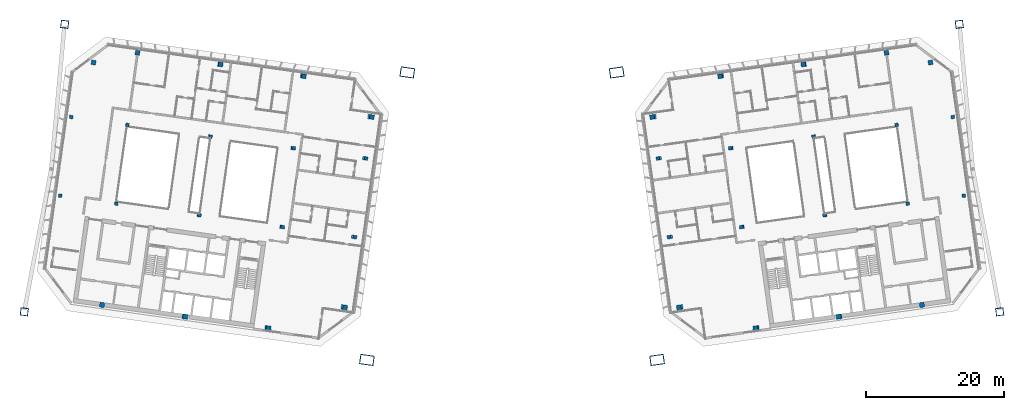
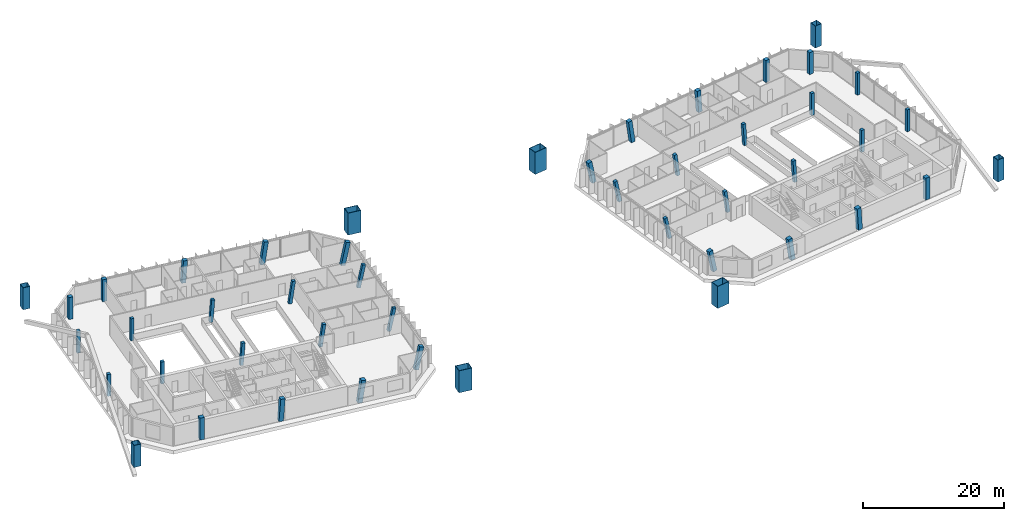
# One storey, part 1 of 19: 46 columns.
"""IFC4 building model written with IfcOpenShell, lengths in metres."""

from ifc_helpers import new_model, si_unit, direction, frame, origin, origin_2d, place, context, subcontext, project, spatial, rectangle, hollow_rectangle, extrude, material, material_profile, profile_set, type_object, element, save


model = new_model("IFC4")

# Units and contexts
model_context = context("Model", 3, precision=1e-05, world=origin(), true_north=direction((0.0, 1.0)))
body_context = subcontext(model_context, "Body", "Model", "MODEL_VIEW")
ifc_project = project(units=[si_unit("LENGTHUNIT", "METRE"), si_unit("AREAUNIT", "SQUARE_METRE"), si_unit("VOLUMEUNIT", "CUBIC_METRE"), si_unit("PLANEANGLEUNIT", "RADIAN"), si_unit("MASSUNIT", "GRAM", prefix="KILO")], contexts=[model_context])

# Site, building, storey
site_placement = place(None, origin())
site = spatial("IfcSite", under=ifc_project, at=site_placement, CompositionType="ELEMENT")
building_placement = place(site_placement, origin())
building = spatial("IfcBuilding", under=site, at=building_placement, Name="Mirante Cascada Hotel Towers", CompositionType="ELEMENT")
storey_placement = place(building_placement, frame((0.0, 0.0, 239.4)))
storey = spatial("IfcBuildingStorey", under=building, at=storey_placement, Name="L57", CompositionType="ELEMENT", Elevation=239.4)

# Columns
ifc_material_1 = material(Name="Steel ASTM A572 Gr 50", Category="steel")
ifc_material_profile_1 = material_profile(ifc_material_1, hollow_rectangle(XDim=1.1, YDim=1.1, WallThickness=0.05, at=origin_2d()), Name="Box column 1100x1100x50 ASTM A572 Gr 50")
ifc_profile_set_1 = profile_set([ifc_material_profile_1], Name="Steel ASTM A572 Gr 50")
column_type_1 = type_object("IfcColumnType", Name="Box column 1100x1100x50 ASTM A572 Gr 50", PredefinedType="COLUMN", material=ifc_profile_set_1)
for number, where, z_axis, x_axis, name in (
    (1, (-64.7076, 24.0842, 0.0), (0.0, 0.0, 1.0), (-0.9902681, 0.1391731, 0.0), "Mega column MC3 T1 L57"),
    (2, (-70.5528, -17.5071, 0.0), (0.0, 0.0, 1.0), (-0.9902681, 0.1391731, 0.0), "Mega column MC4 T1 L57"),
    (3, (64.7076, 24.0842, 0.0), (0.0, 0.0, 1.0), (0.9902681, 0.1391731, 0.0), "Mega column MC3 T2 L57"),
    (4, (70.5528, -17.5071, 0.0), (0.0, 0.0, 1.0), (0.9902681, 0.1391731, 0.0), "Mega column MC4 T2 L57"),
):
    element("IfcColumn", number, at=place(storey_placement, frame(where, z_axis=z_axis, x_axis=x_axis)), inside=storey, type_object=column_type_1, Name=name, PredefinedType="COLUMN", context=body_context, shape_type="SweptSolid", body=[
        extrude(hollow_rectangle(XDim=1.1, YDim=1.1, WallThickness=0.05, at=origin_2d()), origin(), (0.0, 0.0, 1.0), 3.8),
    ])
ifc_material_2 = material(Name="Steel ASTM A572 Gr 50", Category="steel")
ifc_material_profile_2 = material_profile(ifc_material_2, hollow_rectangle(XDim=2.0, YDim=1.4, WallThickness=0.06, at=origin_2d()), Name="Box column 1400x2000x60 ASTM A572 Gr 50")
ifc_profile_set_2 = profile_set([ifc_material_profile_2], Name="Steel ASTM A572 Gr 50")
column_type_2 = type_object("IfcColumnType", Name="Box column 1400x2000x60 ASTM A572 Gr 50", PredefinedType="COLUMN", material=ifc_profile_set_2)
for number, where, z_axis, x_axis, name in (
    (5, (-15.1446, 17.1186, 0.0), (0.0, 0.0, 1.0), (-0.9902681, 0.1391731, 0.0), "Mega column MC1 T1 L57"),
    (6, (-20.9898, -24.4727, 0.0), (0.0, 0.0, 1.0), (-0.9902681, 0.1391731, 0.0), "Mega column MC2 T1 L57"),
    (7, (15.1446, 17.1186, 0.0), (0.0, 0.0, 1.0), (0.9902681, 0.1391731, 0.0), "Mega column MC1 T2 L57"),
    (8, (20.9898, -24.4727, 0.0), (0.0, 0.0, 1.0), (0.9902681, 0.1391731, 0.0), "Mega column MC2 T2 L57"),
):
    element("IfcColumn", number, at=place(storey_placement, frame(where, z_axis=z_axis, x_axis=x_axis)), inside=storey, type_object=column_type_2, Name=name, PredefinedType="COLUMN", context=body_context, shape_type="SweptSolid", body=[
        extrude(hollow_rectangle(XDim=2.0, YDim=1.4, WallThickness=0.06, at=origin_2d()), origin(), (0.0, 0.0, 1.0), 3.8),
    ])
ifc_material_3 = material(Name="Concrete C50/60", Category="concrete")
ifc_material_profile_3 = material_profile(ifc_material_3, rectangle(XDim=0.5, YDim=0.5, at=origin_2d()), Name="RC column 500x500 C50/60")
ifc_profile_set_3 = profile_set([ifc_material_profile_3], Name="Concrete C50/60")
column_type_3 = type_object("IfcColumnType", Name="RC column 500x500 C50/60", PredefinedType="COLUMN", material=ifc_profile_set_3)
for number, where, z_axis, x_axis, name in (
    (9, (-21.3623, 4.7132, 0.0039), (0.2031928, -0.0285704, 0.9787218), (0.1392375, 0.990259, 0.0), "Column T1 L57 2"),
    (10, (-22.9628, -6.6749, 0.0039), (0.2031929, -0.0285446, 0.9787226), (0.1391141, 0.9902764, 0.0), "Column T1 L57 3"),
):
    element("IfcColumn", number, at=place(storey_placement, frame(where, z_axis=z_axis, x_axis=x_axis)), inside=storey, type_object=column_type_3, Name=name, PredefinedType="COLUMN", context=body_context, shape_type="SweptSolid", body=[
        extrude(rectangle(XDim=0.5, YDim=0.5, at=origin_2d()), origin(), (0.0, 0.0, 1.0), 3.8746),
    ])
for number, where, z_axis, x_axis, name in (
    (11, (-31.7356, 6.1711, 0.004), (0.143511, -0.0201698, 0.9894432), (0.1391776, 0.9902674, 0.0), "Column T1 L57 6"),
    (12, (-33.3361, -5.217, 0.004), (0.143511, -0.0201698, 0.9894432), (0.1391776, 0.9902674, 0.0), "Column T1 L57 7"),
):
    element("IfcColumn", number, at=place(storey_placement, frame(where, z_axis=z_axis, x_axis=x_axis)), inside=storey, type_object=column_type_3, Name=name, PredefinedType="COLUMN", context=body_context, shape_type="SweptSolid", body=[
        extrude(rectangle(XDim=0.5, YDim=0.5, at=origin_2d()), origin(), (0.0, 0.0, 1.0), 3.8325),
    ])
for number, where, z_axis, x_axis, name in (
    (13, (-43.6902, 7.8512, 0.004), (0.0723274, -0.0101784, 0.997329), (0.1393541, 0.9902426, 0.0), "Column T1 L57 10"),
    (14, (-45.2907, -3.5369, 0.004), (0.0723274, -0.0101784, 0.997329), (0.1393541, 0.9902426, 0.0), "Column T1 L57 11"),
):
    element("IfcColumn", number, at=place(storey_placement, frame(where, z_axis=z_axis, x_axis=x_axis)), inside=storey, type_object=column_type_3, Name=name, PredefinedType="COLUMN", context=body_context, shape_type="SweptSolid", body=[
        extrude(rectangle(XDim=0.5, YDim=0.5, at=origin_2d()), origin(), (0.0, 0.0, 1.0), 3.8022),
    ])
for number, where, z_axis, x_axis, name in (
    (15, (-55.6447, 9.5313, 0.0), (0.0, 0.0, 1.0), (-0.9902681, 0.1391731, 0.0), "Column T1 L57 14"),
    (16, (-57.2452, -1.8568, 0.0), (0.0, 0.0, 1.0), (-0.9902681, 0.1391731, 0.0), "Column T1 L57 15"),
    (17, (-63.7649, 10.6725, 0.0), (0.0, 0.0, 1.0), (-0.9902681, 0.1391731, 0.0), "Column T1 L57 18"),
    (18, (-65.3654, -0.7156, 0.0), (0.0, 0.0, 1.0), (-0.9902681, 0.1391731, 0.0), "Column T1 L57 19"),
):
    element("IfcColumn", number, at=place(storey_placement, frame(where, z_axis=z_axis, x_axis=x_axis)), inside=storey, type_object=column_type_3, Name=name, PredefinedType="COLUMN", context=body_context, shape_type="SweptSolid", body=[
        extrude(rectangle(XDim=0.5, YDim=0.5, at=origin_2d()), origin(), (0.0, 0.0, 1.0), 3.8),
    ])
for number, where, z_axis, x_axis, name in (
    (19, (21.3623, 4.7132, 0.0039), (-0.2031928, -0.0285704, 0.9787218), (0.1392375, -0.990259, 0.0), "Column T2 L57 2"),
    (20, (22.9628, -6.6749, 0.0039), (-0.2031929, -0.0285446, 0.9787226), (0.1391141, -0.9902764, 0.0), "Column T2 L57 3"),
):
    element("IfcColumn", number, at=place(storey_placement, frame(where, z_axis=z_axis, x_axis=x_axis)), inside=storey, type_object=column_type_3, Name=name, PredefinedType="COLUMN", context=body_context, shape_type="SweptSolid", body=[
        extrude(rectangle(XDim=0.5, YDim=0.5, at=origin_2d()), origin(), (0.0, 0.0, 1.0), 3.8746),
    ])
for number, where, z_axis, x_axis, name in (
    (21, (31.7356, 6.1711, 0.004), (-0.143511, -0.0201698, 0.9894432), (0.1391776, -0.9902674, 0.0), "Column T2 L57 6"),
    (22, (33.3361, -5.217, 0.004), (-0.143511, -0.0201698, 0.9894432), (0.1391776, -0.9902674, 0.0), "Column T2 L57 7"),
):
    element("IfcColumn", number, at=place(storey_placement, frame(where, z_axis=z_axis, x_axis=x_axis)), inside=storey, type_object=column_type_3, Name=name, PredefinedType="COLUMN", context=body_context, shape_type="SweptSolid", body=[
        extrude(rectangle(XDim=0.5, YDim=0.5, at=origin_2d()), origin(), (0.0, 0.0, 1.0), 3.8325),
    ])
for number, where, z_axis, x_axis, name in (
    (23, (43.6902, 7.8512, 0.004), (-0.0723274, -0.0101784, 0.997329), (0.1393541, -0.9902426, 0.0), "Column T2 L57 10"),
    (24, (45.2907, -3.5369, 0.004), (-0.0723274, -0.0101784, 0.997329), (0.1393541, -0.9902426, 0.0), "Column T2 L57 11"),
):
    element("IfcColumn", number, at=place(storey_placement, frame(where, z_axis=z_axis, x_axis=x_axis)), inside=storey, type_object=column_type_3, Name=name, PredefinedType="COLUMN", context=body_context, shape_type="SweptSolid", body=[
        extrude(rectangle(XDim=0.5, YDim=0.5, at=origin_2d()), origin(), (0.0, 0.0, 1.0), 3.8022),
    ])
for number, where, z_axis, x_axis, name in (
    (25, (55.6447, 9.5313, 0.0), (0.0, 0.0, 1.0), (0.9902681, 0.1391731, 0.0), "Column T2 L57 14"),
    (26, (57.2452, -1.8568, 0.0), (0.0, 0.0, 1.0), (0.9902681, 0.1391731, 0.0), "Column T2 L57 15"),
    (27, (63.7649, 10.6725, 0.0), (0.0, 0.0, 1.0), (0.9902681, 0.1391731, 0.0), "Column T2 L57 18"),
    (28, (65.3654, -0.7156, 0.0), (0.0, 0.0, 1.0), (0.9902681, 0.1391731, 0.0), "Column T2 L57 19"),
):
    element("IfcColumn", number, at=place(storey_placement, frame(where, z_axis=z_axis, x_axis=x_axis)), inside=storey, type_object=column_type_3, Name=name, PredefinedType="COLUMN", context=body_context, shape_type="SweptSolid", body=[
        extrude(rectangle(XDim=0.5, YDim=0.5, at=origin_2d()), origin(), (0.0, 0.0, 1.0), 3.8),
    ])
ifc_material_4 = material(Name="Concrete C50/60", Category="concrete")
ifc_material_profile_4 = material_profile(ifc_material_4, rectangle(XDim=0.65, YDim=0.65, at=origin_2d()), Name="RC column 650x650 C50/60")
ifc_profile_set_4 = profile_set([ifc_material_profile_4], Name="Concrete C50/60")
column_type_4 = type_object("IfcColumnType", Name="RC column 650x650 C50/60", PredefinedType="COLUMN", material=ifc_profile_set_4)
for number, where, z_axis, x_axis, name in (
    (29, (-20.5203, 10.7043, 0.0039), (0.2031929, -0.0285446, 0.9787226), (0.1391141, 0.9902764, 0.0), "Column T1 L57 1"),
    (30, (-24.3893, -16.8251, 0.0039), (0.2031928, -0.0285704, 0.9787218), (0.1392375, 0.990259, 0.0), "Column T1 L57 4"),
):
    element("IfcColumn", number, at=place(storey_placement, frame(where, z_axis=z_axis, x_axis=x_axis)), inside=storey, type_object=column_type_4, Name=name, PredefinedType="COLUMN", context=body_context, shape_type="SweptSolid", body=[
        extrude(rectangle(XDim=0.65, YDim=0.65, at=origin_2d()), origin(), (0.0, 0.0, 1.0), 3.8746),
    ])
column_1_placement = place(storey_placement, frame((-30.2708, 16.5936, 0.004), z_axis=(0.143511, -0.0201698, 0.9894432), x_axis=(0.1391776, 0.9902674, 0.0)))
element("IfcColumn", 31, at=column_1_placement, inside=storey, type_object=column_type_4, Name="Column T1 L57 5", PredefinedType="COLUMN", context=body_context, shape_type="SweptSolid", body=[
    extrude(rectangle(XDim=0.65, YDim=0.65, at=origin_2d()), origin(), (0.0, 0.0, 1.0), 3.8325),
])
column_2_placement = place(storey_placement, frame((-42.2254, 18.2737, 0.004), z_axis=(0.0723274, -0.0101521, 0.9973293), x_axis=(0.139001, 0.9902922, 0.0)))
element("IfcColumn", 32, at=column_2_placement, inside=storey, type_object=column_type_4, Name="Column T1 L57 9", PredefinedType="COLUMN", context=body_context, shape_type="SweptSolid", body=[
    extrude(rectangle(XDim=0.65, YDim=0.65, at=origin_2d()), origin(), (0.0, 0.0, 1.0), 3.8022),
])
for number, where, z_axis, x_axis, name in (
    (33, (-54.1799, 19.9538, 0.0), (0.0, 0.0, 1.0), (-0.9902681, 0.1391731, 0.0), "Column T1 L57 13"),
    (34, (-60.5372, 18.5499, 0.0), (0.0, 0.0, 1.0), (-0.9902681, 0.1391731, 0.0), "Column T1 L57 17"),
):
    element("IfcColumn", number, at=place(storey_placement, frame(where, z_axis=z_axis, x_axis=x_axis)), inside=storey, type_object=column_type_4, Name=name, PredefinedType="COLUMN", context=body_context, shape_type="SweptSolid", body=[
        extrude(rectangle(XDim=0.65, YDim=0.65, at=origin_2d()), origin(), (0.0, 0.0, 1.0), 3.8),
    ])
for number, where, z_axis, x_axis, name in (
    (35, (20.5203, 10.7043, 0.0039), (-0.2031929, -0.0285446, 0.9787226), (0.1391141, -0.9902764, 0.0), "Column T2 L57 1"),
    (36, (24.3893, -16.8251, 0.0039), (-0.2031928, -0.0285704, 0.9787218), (0.1392375, -0.990259, 0.0), "Column T2 L57 4"),
):
    element("IfcColumn", number, at=place(storey_placement, frame(where, z_axis=z_axis, x_axis=x_axis)), inside=storey, type_object=column_type_4, Name=name, PredefinedType="COLUMN", context=body_context, shape_type="SweptSolid", body=[
        extrude(rectangle(XDim=0.65, YDim=0.65, at=origin_2d()), origin(), (0.0, 0.0, 1.0), 3.8746),
    ])
column_3_placement = place(storey_placement, frame((30.2708, 16.5936, 0.004), z_axis=(-0.143511, -0.0201698, 0.9894432), x_axis=(0.1391776, -0.9902674, 0.0)))
element("IfcColumn", 37, at=column_3_placement, inside=storey, type_object=column_type_4, Name="Column T2 L57 5", PredefinedType="COLUMN", context=body_context, shape_type="SweptSolid", body=[
    extrude(rectangle(XDim=0.65, YDim=0.65, at=origin_2d()), origin(), (0.0, 0.0, 1.0), 3.8325),
])
column_4_placement = place(storey_placement, frame((42.2254, 18.2737, 0.004), z_axis=(-0.0723274, -0.0101521, 0.9973293), x_axis=(0.139001, -0.9902922, 0.0)))
element("IfcColumn", 38, at=column_4_placement, inside=storey, type_object=column_type_4, Name="Column T2 L57 9", PredefinedType="COLUMN", context=body_context, shape_type="SweptSolid", body=[
    extrude(rectangle(XDim=0.65, YDim=0.65, at=origin_2d()), origin(), (0.0, 0.0, 1.0), 3.8022),
])
for number, where, z_axis, x_axis, name in (
    (39, (54.1799, 19.9538, 0.0), (0.0, 0.0, 1.0), (0.9902681, 0.1391731, 0.0), "Column T2 L57 13"),
    (40, (60.5372, 18.5499, 0.0), (0.0, 0.0, 1.0), (0.9902681, 0.1391731, 0.0), "Column T2 L57 17"),
):
    element("IfcColumn", number, at=place(storey_placement, frame(where, z_axis=z_axis, x_axis=x_axis)), inside=storey, type_object=column_type_4, Name=name, PredefinedType="COLUMN", context=body_context, shape_type="SweptSolid", body=[
        extrude(rectangle(XDim=0.65, YDim=0.65, at=origin_2d()), origin(), (0.0, 0.0, 1.0), 3.8),
    ])
ifc_material_5 = material(Name="Concrete C50/60", Category="concrete")
ifc_material_profile_5 = material_profile(ifc_material_5, rectangle(XDim=0.7, YDim=0.7, at=origin_2d()), Name="RC column 700x700 C50/60")
ifc_profile_set_5 = profile_set([ifc_material_profile_5], Name="Concrete C50/60")
column_type_5 = type_object("IfcColumnType", Name="RC column 700x700 C50/60", PredefinedType="COLUMN", material=ifc_profile_set_5)
column_5_placement = place(storey_placement, frame((-35.3959, -19.873, 0.004), z_axis=(0.143511, -0.0201698, 0.9894432), x_axis=(0.1391776, 0.9902674, 0.0)))
element("IfcColumn", 41, at=column_5_placement, inside=storey, type_object=column_type_5, Name="Column T1 L57 8", PredefinedType="COLUMN", context=body_context, shape_type="SweptSolid", body=[
    extrude(rectangle(XDim=0.7, YDim=0.7, at=origin_2d()), origin(), (0.0, 0.0, 1.0), 3.8325),
])
column_6_placement = place(storey_placement, frame((-47.3504, -18.1929, 0.004), z_axis=(0.0723274, -0.0101521, 0.9973293), x_axis=(0.139001, 0.9902922, 0.0)))
element("IfcColumn", 42, at=column_6_placement, inside=storey, type_object=column_type_5, Name="Column T1 L57 12", PredefinedType="COLUMN", context=body_context, shape_type="SweptSolid", body=[
    extrude(rectangle(XDim=0.7, YDim=0.7, at=origin_2d()), origin(), (0.0, 0.0, 1.0), 3.8022),
])
column_7_placement = place(storey_placement, frame((-59.305, -16.5128, 0.0), z_axis=(0.0, 0.0, 1.0), x_axis=(-0.9902681, 0.1391731, 0.0)))
element("IfcColumn", 43, at=column_7_placement, inside=storey, type_object=column_type_5, Name="Column T1 L57 16", PredefinedType="COLUMN", context=body_context, shape_type="SweptSolid", body=[
    extrude(rectangle(XDim=0.7, YDim=0.7, at=origin_2d()), origin(), (0.0, 0.0, 1.0), 3.8),
])
column_8_placement = place(storey_placement, frame((35.3959, -19.873, 0.004), z_axis=(-0.143511, -0.0201698, 0.9894432), x_axis=(0.1391776, -0.9902674, 0.0)))
element("IfcColumn", 44, at=column_8_placement, inside=storey, type_object=column_type_5, Name="Column T2 L57 8", PredefinedType="COLUMN", context=body_context, shape_type="SweptSolid", body=[
    extrude(rectangle(XDim=0.7, YDim=0.7, at=origin_2d()), origin(), (0.0, 0.0, 1.0), 3.8325),
])
column_9_placement = place(storey_placement, frame((47.3504, -18.1929, 0.004), z_axis=(-0.0723274, -0.0101521, 0.9973293), x_axis=(0.139001, -0.9902922, 0.0)))
element("IfcColumn", 45, at=column_9_placement, inside=storey, type_object=column_type_5, Name="Column T2 L57 12", PredefinedType="COLUMN", context=body_context, shape_type="SweptSolid", body=[
    extrude(rectangle(XDim=0.7, YDim=0.7, at=origin_2d()), origin(), (0.0, 0.0, 1.0), 3.8022),
])
column_10_placement = place(storey_placement, frame((59.305, -16.5128, 0.0), z_axis=(0.0, 0.0, 1.0), x_axis=(0.9902681, 0.1391731, 0.0)))
element("IfcColumn", 46, at=column_10_placement, inside=storey, type_object=column_type_5, Name="Column T2 L57 16", PredefinedType="COLUMN", context=body_context, shape_type="SweptSolid", body=[
    extrude(rectangle(XDim=0.7, YDim=0.7, at=origin_2d()), origin(), (0.0, 0.0, 1.0), 3.8),
])

save(model, "model.ifc")
